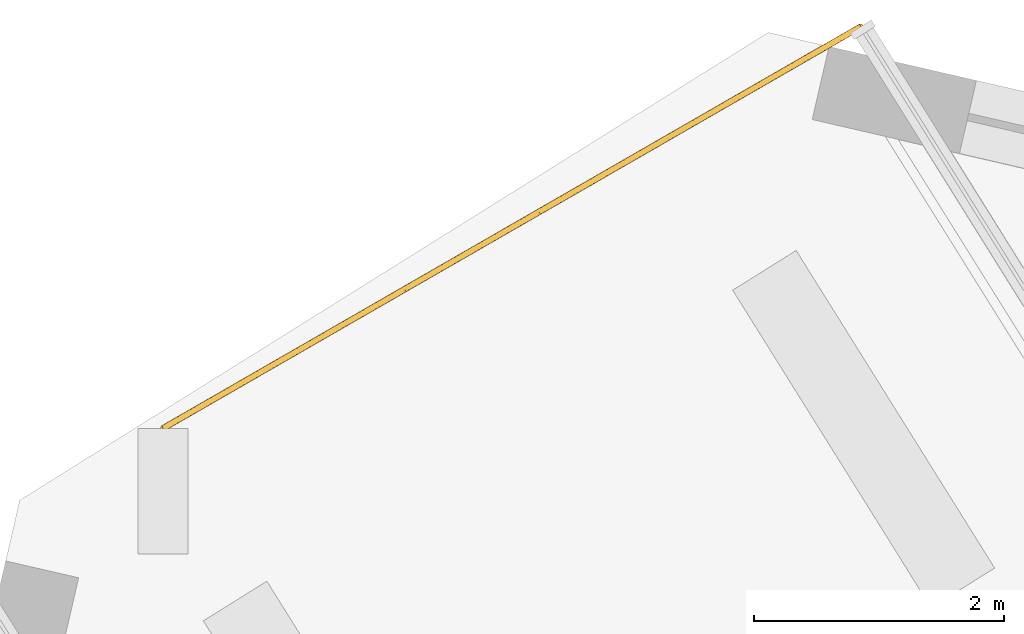
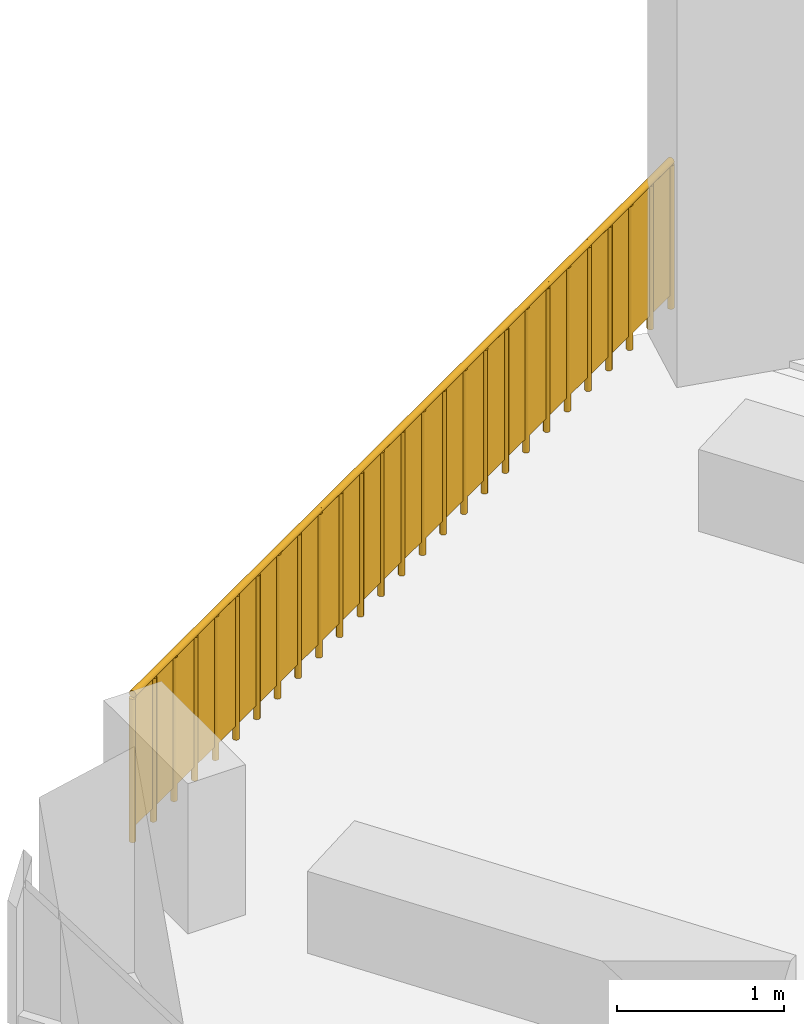
# One storey, part 13 of 14: 1 railing.
"""IFC4 building model written with IfcOpenShell, lengths in metres."""

from ifc_helpers import new_model, si_unit, direction, frame, origin, origin_2d, place, context, subcontext, project, spatial, rectangle, circle, extrude, material, type_object, element, save


model = new_model("IFC4")

# Units and contexts
model_context = context("Model", 3, precision=1e-05, world=origin(), true_north=direction((0.0, 1.0)))
body_context = subcontext(model_context, "Body", "Model", "MODEL_VIEW")
ifc_project = project(units=[si_unit("LENGTHUNIT", "METRE"), si_unit("AREAUNIT", "SQUARE_METRE"), si_unit("VOLUMEUNIT", "CUBIC_METRE"), si_unit("PLANEANGLEUNIT", "RADIAN"), si_unit("MASSUNIT", "GRAM", prefix="KILO")], contexts=[model_context])

# Site, building, storey
site_placement = place(None, origin())
site = spatial("IfcSite", under=ifc_project, at=site_placement, CompositionType="ELEMENT")
building_placement = place(site_placement, origin())
building = spatial("IfcBuilding", under=site, at=building_placement, Name="Dilmun Exchange Tower", CompositionType="ELEMENT")
storey_placement = place(building_placement, frame((0.0, 0.0, 340.5)))
storey = spatial("IfcBuildingStorey", under=building, at=storey_placement, Name="L81", CompositionType="ELEMENT", Elevation=340.5)

# Railing
ifc_material = material(Name="Stainless steel", Category="steel")
railing_type = type_object("IfcRailingType", Name="Terrace guard 1100 stainless steel", PredefinedType="GUARDRAIL", material=ifc_material)
railing_placement = place(storey_placement, frame((-13.946044921875, 34.2265625, 0.0)))
element("IfcRailing", 1, at=railing_placement, inside=storey, type_object=railing_type, Name="Terrace guard 1", PredefinedType="GUARDRAIL", context=body_context, shape_type="SweptSolid", body=[
    extrude(circle(Radius=0.02392578125, at=origin_2d()), frame((0.0, 0.0, 1.076171875), z_axis=(-0.866480498288, -0.499210923445, 0.0), x_axis=(0.499210923445, -0.866480498288, 0.0)), (0.0, 0.0, 1.0), 0.248046875),
    extrude(rectangle(XDim=0.011962890625, YDim=0.951904296875, at=origin_2d()), frame((0.0, 0.0, 0.576171875), z_axis=(-0.866480498288, -0.499210923445, 0.0), x_axis=(0.499210923445, -0.866480498288, 0.0)), (0.0, 0.0, 1.0), 0.248046875),
    extrude(circle(Radius=0.02392578125, at=origin_2d()), frame((-0.21484375, -0.123779296875, 1.076171875), z_axis=(-0.866725567477, -0.498785315222, 0.0), x_axis=(0.498785315222, -0.866725567477, 0.0)), (0.0, 0.0, 1.0), 0.248046875),
    extrude(rectangle(XDim=0.011962890625, YDim=0.951904296875, at=origin_2d()), frame((-0.21484375, -0.123779296875, 0.576171875), z_axis=(-0.866725567477, -0.498785315222, 0.0), x_axis=(0.498785315222, -0.866725567477, 0.0)), (0.0, 0.0, 1.0), 0.248046875),
    extrude(circle(Radius=0.02392578125, at=origin_2d()), frame((-0.429931640625, -0.24755859375, 1.076171875), z_axis=(-0.866480498288, -0.499210923445, 0.0), x_axis=(0.499210923445, -0.866480498288, 0.0)), (0.0, 0.0, 1.0), 0.248046875),
    extrude(rectangle(XDim=0.011962890625, YDim=0.951904296875, at=origin_2d()), frame((-0.429931640625, -0.24755859375, 0.576171875), z_axis=(-0.866480498288, -0.499210923445, 0.0), x_axis=(0.499210923445, -0.866480498288, 0.0)), (0.0, 0.0, 1.0), 0.248046875),
    extrude(circle(Radius=0.02392578125, at=origin_2d()), frame((-0.644775390625, -0.371337890625, 1.076171875), z_axis=(-0.866725567477, -0.498785315222, 0.0), x_axis=(0.498785315222, -0.866725567477, 0.0)), (0.0, 0.0, 1.0), 0.248046875),
    extrude(rectangle(XDim=0.011962890625, YDim=0.951904296875, at=origin_2d()), frame((-0.644775390625, -0.371337890625, 0.576171875), z_axis=(-0.866725567477, -0.498785315222, 0.0), x_axis=(0.498785315222, -0.866725567477, 0.0)), (0.0, 0.0, 1.0), 0.248046875),
    extrude(circle(Radius=0.02392578125, at=origin_2d()), frame((-0.85986328125, -0.4951171875, 1.076171875), z_axis=(-0.866906303058, -0.498471124258, 0.0), x_axis=(0.498471124258, -0.866906303058, 0.0)), (0.0, 0.0, 1.0), 0.247802734375),
    extrude(rectangle(XDim=0.011962890625, YDim=0.951904296875, at=origin_2d()), frame((-0.85986328125, -0.4951171875, 0.576171875), z_axis=(-0.866906303058, -0.498471124258, 0.0), x_axis=(0.498471124258, -0.866906303058, 0.0)), (0.0, 0.0, 1.0), 0.247802734375),
    extrude(circle(Radius=0.02392578125, at=origin_2d()), frame((-1.07470703125, -0.61865234375, 1.076171875), z_axis=(-0.866054481515, -0.499949632511, 0.0), x_axis=(0.499949632511, -0.866054481515, 0.0)), (0.0, 0.0, 1.0), 0.248046875),
    extrude(rectangle(XDim=0.011962890625, YDim=0.951904296875, at=origin_2d()), frame((-1.07470703125, -0.61865234375, 0.576171875), z_axis=(-0.866054481515, -0.499949632511, 0.0), x_axis=(0.499949632511, -0.866054481515, 0.0)), (0.0, 0.0, 1.0), 0.248046875),
    extrude(circle(Radius=0.02392578125, at=origin_2d()), frame((-1.28955078125, -0.74267578125, 1.076171875), z_axis=(-0.867150766199, -0.498045729508, 0.0), x_axis=(0.498045729508, -0.867150766199, 0.0)), (0.0, 0.0, 1.0), 0.248046875),
    extrude(rectangle(XDim=0.011962890625, YDim=0.951904296875, at=origin_2d()), frame((-1.28955078125, -0.74267578125, 0.576171875), z_axis=(-0.867150766199, -0.498045729508, 0.0), x_axis=(0.498045729508, -0.867150766199, 0.0)), (0.0, 0.0, 1.0), 0.248046875),
    extrude(circle(Radius=0.02392578125, at=origin_2d()), frame((-1.504638671875, -0.8662109375, 1.076171875), z_axis=(-0.866480498288, -0.499210923445, 0.0), x_axis=(0.499210923445, -0.866480498288, 0.0)), (0.0, 0.0, 1.0), 0.248046875),
    extrude(rectangle(XDim=0.011962890625, YDim=0.951904296875, at=origin_2d()), frame((-1.504638671875, -0.8662109375, 0.576171875), z_axis=(-0.866480498288, -0.499210923445, 0.0), x_axis=(0.499210923445, -0.866480498288, 0.0)), (0.0, 0.0, 1.0), 0.248046875),
    extrude(circle(Radius=0.02392578125, at=origin_2d()), frame((-1.719482421875, -0.989990234375, 1.076171875), z_axis=(-0.866725567477, -0.498785315222, 0.0), x_axis=(0.498785315222, -0.866725567477, 0.0)), (0.0, 0.0, 1.0), 0.248046875),
    extrude(rectangle(XDim=0.011962890625, YDim=0.951904296875, at=origin_2d()), frame((-1.719482421875, -0.989990234375, 0.576171875), z_axis=(-0.866725567477, -0.498785315222, 0.0), x_axis=(0.498785315222, -0.866725567477, 0.0)), (0.0, 0.0, 1.0), 0.248046875),
    extrude(circle(Radius=0.02392578125, at=origin_2d()), frame((-1.9345703125, -1.11376953125, 1.076171875), z_axis=(-0.866480498288, -0.499210923445, 0.0), x_axis=(0.499210923445, -0.866480498288, 0.0)), (0.0, 0.0, 1.0), 0.248046875),
    extrude(rectangle(XDim=0.011962890625, YDim=0.951904296875, at=origin_2d()), frame((-1.9345703125, -1.11376953125, 0.576171875), z_axis=(-0.866480498288, -0.499210923445, 0.0), x_axis=(0.499210923445, -0.866480498288, 0.0)), (0.0, 0.0, 1.0), 0.248046875),
    extrude(circle(Radius=0.02392578125, at=origin_2d()), frame((-2.1494140625, -1.237548828125, 1.076171875), z_axis=(-0.866480498288, -0.499210923445, 0.0), x_axis=(0.499210923445, -0.866480498288, 0.0)), (0.0, 0.0, 1.0), 0.248046875),
    extrude(rectangle(XDim=0.011962890625, YDim=0.951904296875, at=origin_2d()), frame((-2.1494140625, -1.237548828125, 0.576171875), z_axis=(-0.866480498288, -0.499210923445, 0.0), x_axis=(0.499210923445, -0.866480498288, 0.0)), (0.0, 0.0, 1.0), 0.248046875),
    extrude(circle(Radius=0.02392578125, at=origin_2d()), frame((-2.3642578125, -1.361328125, 1.076171875), z_axis=(-0.866725567477, -0.498785315222, 0.0), x_axis=(0.498785315222, -0.866725567477, 0.0)), (0.0, 0.0, 1.0), 0.248046875),
    extrude(rectangle(XDim=0.011962890625, YDim=0.951904296875, at=origin_2d()), frame((-2.3642578125, -1.361328125, 0.576171875), z_axis=(-0.866725567477, -0.498785315222, 0.0), x_axis=(0.498785315222, -0.866725567477, 0.0)), (0.0, 0.0, 1.0), 0.248046875),
    extrude(circle(Radius=0.02392578125, at=origin_2d()), frame((-2.579345703125, -1.485107421875, 1.076171875), z_axis=(-0.866906303058, -0.498471124258, 0.0), x_axis=(0.498471124258, -0.866906303058, 0.0)), (0.0, 0.0, 1.0), 0.247802734375),
    extrude(rectangle(XDim=0.011962890625, YDim=0.951904296875, at=origin_2d()), frame((-2.579345703125, -1.485107421875, 0.576171875), z_axis=(-0.866906303058, -0.498471124258, 0.0), x_axis=(0.498471124258, -0.866906303058, 0.0)), (0.0, 0.0, 1.0), 0.247802734375),
    extrude(circle(Radius=0.02392578125, at=origin_2d()), frame((-2.794189453125, -1.608642578125, 1.076171875), z_axis=(-0.866054481515, -0.499949632511, 0.0), x_axis=(0.499949632511, -0.866054481515, 0.0)), (0.0, 0.0, 1.0), 0.248046875),
    extrude(rectangle(XDim=0.011962890625, YDim=0.951904296875, at=origin_2d()), frame((-2.794189453125, -1.608642578125, 0.576171875), z_axis=(-0.866054481515, -0.499949632511, 0.0), x_axis=(0.499949632511, -0.866054481515, 0.0)), (0.0, 0.0, 1.0), 0.248046875),
    extrude(circle(Radius=0.02392578125, at=origin_2d()), frame((-3.009033203125, -1.732666015625, 1.076171875), z_axis=(-0.867150766199, -0.498045729508, 0.0), x_axis=(0.498045729508, -0.867150766199, 0.0)), (0.0, 0.0, 1.0), 0.248046875),
    extrude(rectangle(XDim=0.011962890625, YDim=0.951904296875, at=origin_2d()), frame((-3.009033203125, -1.732666015625, 0.576171875), z_axis=(-0.867150766199, -0.498045729508, 0.0), x_axis=(0.498045729508, -0.867150766199, 0.0)), (0.0, 0.0, 1.0), 0.248046875),
    extrude(circle(Radius=0.02392578125, at=origin_2d()), frame((-3.22412109375, -1.856201171875, 1.076171875), z_axis=(-0.866480498288, -0.499210923445, 0.0), x_axis=(0.499210923445, -0.866480498288, 0.0)), (0.0, 0.0, 1.0), 0.248046875),
    extrude(rectangle(XDim=0.011962890625, YDim=0.951904296875, at=origin_2d()), frame((-3.22412109375, -1.856201171875, 0.576171875), z_axis=(-0.866480498288, -0.499210923445, 0.0), x_axis=(0.499210923445, -0.866480498288, 0.0)), (0.0, 0.0, 1.0), 0.248046875),
    extrude(circle(Radius=0.02392578125, at=origin_2d()), frame((-3.43896484375, -1.97998046875, 1.076171875), z_axis=(-0.866725567477, -0.498785315222, 0.0), x_axis=(0.498785315222, -0.866725567477, 0.0)), (0.0, 0.0, 1.0), 0.248046875),
    extrude(rectangle(XDim=0.011962890625, YDim=0.951904296875, at=origin_2d()), frame((-3.43896484375, -1.97998046875, 0.576171875), z_axis=(-0.866725567477, -0.498785315222, 0.0), x_axis=(0.498785315222, -0.866725567477, 0.0)), (0.0, 0.0, 1.0), 0.248046875),
    extrude(circle(Radius=0.02392578125, at=origin_2d()), frame((-3.654052734375, -2.103759765625, 1.076171875), z_axis=(-0.866480498288, -0.499210923445, 0.0), x_axis=(0.499210923445, -0.866480498288, 0.0)), (0.0, 0.0, 1.0), 0.248046875),
    extrude(rectangle(XDim=0.011962890625, YDim=0.951904296875, at=origin_2d()), frame((-3.654052734375, -2.103759765625, 0.576171875), z_axis=(-0.866480498288, -0.499210923445, 0.0), x_axis=(0.499210923445, -0.866480498288, 0.0)), (0.0, 0.0, 1.0), 0.248046875),
    extrude(circle(Radius=0.02392578125, at=origin_2d()), frame((-3.868896484375, -2.2275390625, 1.076171875), z_axis=(-0.866480498288, -0.499210923445, 0.0), x_axis=(0.499210923445, -0.866480498288, 0.0)), (0.0, 0.0, 1.0), 0.248046875),
    extrude(rectangle(XDim=0.011962890625, YDim=0.951904296875, at=origin_2d()), frame((-3.868896484375, -2.2275390625, 0.576171875), z_axis=(-0.866480498288, -0.499210923445, 0.0), x_axis=(0.499210923445, -0.866480498288, 0.0)), (0.0, 0.0, 1.0), 0.248046875),
    extrude(circle(Radius=0.02392578125, at=origin_2d()), frame((-4.083740234375, -2.351318359375, 1.076171875), z_axis=(-0.867150766199, -0.498045729508, 0.0), x_axis=(0.498045729508, -0.867150766199, 0.0)), (0.0, 0.0, 1.0), 0.248046875),
    extrude(rectangle(XDim=0.011962890625, YDim=0.951904296875, at=origin_2d()), frame((-4.083740234375, -2.351318359375, 0.576171875), z_axis=(-0.867150766199, -0.498045729508, 0.0), x_axis=(0.498045729508, -0.867150766199, 0.0)), (0.0, 0.0, 1.0), 0.248046875),
    extrude(circle(Radius=0.02392578125, at=origin_2d()), frame((-4.298828125, -2.474853515625, 1.076171875), z_axis=(-0.866054481515, -0.499949632511, 0.0), x_axis=(0.499949632511, -0.866054481515, 0.0)), (0.0, 0.0, 1.0), 0.248046875),
    extrude(rectangle(XDim=0.011962890625, YDim=0.951904296875, at=origin_2d()), frame((-4.298828125, -2.474853515625, 0.576171875), z_axis=(-0.866054481515, -0.499949632511, 0.0), x_axis=(0.499949632511, -0.866054481515, 0.0)), (0.0, 0.0, 1.0), 0.248046875),
    extrude(circle(Radius=0.02392578125, at=origin_2d()), frame((-4.513671875, -2.598876953125, 1.076171875), z_axis=(-0.867150766199, -0.498045729508, 0.0), x_axis=(0.498045729508, -0.867150766199, 0.0)), (0.0, 0.0, 1.0), 0.248046875),
    extrude(rectangle(XDim=0.011962890625, YDim=0.951904296875, at=origin_2d()), frame((-4.513671875, -2.598876953125, 0.576171875), z_axis=(-0.867150766199, -0.498045729508, 0.0), x_axis=(0.498045729508, -0.867150766199, 0.0)), (0.0, 0.0, 1.0), 0.248046875),
    extrude(circle(Radius=0.02392578125, at=origin_2d()), frame((-4.728759765625, -2.722412109375, 1.076171875), z_axis=(-0.866480498288, -0.499210923445, 0.0), x_axis=(0.499210923445, -0.866480498288, 0.0)), (0.0, 0.0, 1.0), 0.248046875),
    extrude(rectangle(XDim=0.011962890625, YDim=0.951904296875, at=origin_2d()), frame((-4.728759765625, -2.722412109375, 0.576171875), z_axis=(-0.866480498288, -0.499210923445, 0.0), x_axis=(0.499210923445, -0.866480498288, 0.0)), (0.0, 0.0, 1.0), 0.248046875),
    extrude(circle(Radius=0.02392578125, at=origin_2d()), frame((-4.943603515625, -2.84619140625, 1.076171875), z_axis=(-0.866480498288, -0.499210923445, 0.0), x_axis=(0.499210923445, -0.866480498288, 0.0)), (0.0, 0.0, 1.0), 0.248046875),
    extrude(rectangle(XDim=0.011962890625, YDim=0.951904296875, at=origin_2d()), frame((-4.943603515625, -2.84619140625, 0.576171875), z_axis=(-0.866480498288, -0.499210923445, 0.0), x_axis=(0.499210923445, -0.866480498288, 0.0)), (0.0, 0.0, 1.0), 0.248046875),
    extrude(circle(Radius=0.02392578125, at=origin_2d()), frame((-5.158447265625, -2.969970703125, 1.076171875), z_axis=(-0.866725567477, -0.498785315222, 0.0), x_axis=(0.498785315222, -0.866725567477, 0.0)), (0.0, 0.0, 1.0), 0.248046875),
    extrude(rectangle(XDim=0.011962890625, YDim=0.951904296875, at=origin_2d()), frame((-5.158447265625, -2.969970703125, 0.576171875), z_axis=(-0.866725567477, -0.498785315222, 0.0), x_axis=(0.498785315222, -0.866725567477, 0.0)), (0.0, 0.0, 1.0), 0.248046875),
    extrude(circle(Radius=0.02392578125, at=origin_2d()), frame((-5.37353515625, -3.09375, 1.076171875), z_axis=(-0.866480498288, -0.499210923445, 0.0), x_axis=(0.499210923445, -0.866480498288, 0.0)), (0.0, 0.0, 1.0), 0.248046875),
    extrude(rectangle(XDim=0.011962890625, YDim=0.951904296875, at=origin_2d()), frame((-5.37353515625, -3.09375, 0.576171875), z_axis=(-0.866480498288, -0.499210923445, 0.0), x_axis=(0.499210923445, -0.866480498288, 0.0)), (0.0, 0.0, 1.0), 0.248046875),
    extrude(circle(Radius=0.02099609375, at=origin_2d()), origin(), (0.0, 0.0, 1.0), 1.052001953125),
    extrude(circle(Radius=0.02099609375, at=origin_2d()), frame((-0.21484375, -0.123779296875, 0.0)), (0.0, 0.0, 1.0), 1.052001953125),
    extrude(circle(Radius=0.02099609375, at=origin_2d()), frame((-0.429931640625, -0.24755859375, 0.0)), (0.0, 0.0, 1.0), 1.052001953125),
    extrude(circle(Radius=0.02099609375, at=origin_2d()), frame((-0.644775390625, -0.371337890625, 0.0)), (0.0, 0.0, 1.0), 1.052001953125),
    extrude(circle(Radius=0.02099609375, at=origin_2d()), frame((-0.85986328125, -0.4951171875, 0.0)), (0.0, 0.0, 1.0), 1.052001953125),
    extrude(circle(Radius=0.02099609375, at=origin_2d()), frame((-1.07470703125, -0.61865234375, 0.0)), (0.0, 0.0, 1.0), 1.052001953125),
    extrude(circle(Radius=0.02099609375, at=origin_2d()), frame((-1.28955078125, -0.74267578125, 0.0)), (0.0, 0.0, 1.0), 1.052001953125),
    extrude(circle(Radius=0.02099609375, at=origin_2d()), frame((-1.504638671875, -0.8662109375, 0.0)), (0.0, 0.0, 1.0), 1.052001953125),
    extrude(circle(Radius=0.02099609375, at=origin_2d()), frame((-1.719482421875, -0.989990234375, 0.0)), (0.0, 0.0, 1.0), 1.052001953125),
    extrude(circle(Radius=0.02099609375, at=origin_2d()), frame((-1.9345703125, -1.11376953125, 0.0)), (0.0, 0.0, 1.0), 1.052001953125),
    extrude(circle(Radius=0.02099609375, at=origin_2d()), frame((-2.1494140625, -1.237548828125, 0.0)), (0.0, 0.0, 1.0), 1.052001953125),
    extrude(circle(Radius=0.02099609375, at=origin_2d()), frame((-2.3642578125, -1.361328125, 0.0)), (0.0, 0.0, 1.0), 1.052001953125),
    extrude(circle(Radius=0.02099609375, at=origin_2d()), frame((-2.579345703125, -1.485107421875, 0.0)), (0.0, 0.0, 1.0), 1.052001953125),
    extrude(circle(Radius=0.02099609375, at=origin_2d()), frame((-2.794189453125, -1.608642578125, 0.0)), (0.0, 0.0, 1.0), 1.052001953125),
    extrude(circle(Radius=0.02099609375, at=origin_2d()), frame((-3.009033203125, -1.732666015625, 0.0)), (0.0, 0.0, 1.0), 1.052001953125),
    extrude(circle(Radius=0.02099609375, at=origin_2d()), frame((-3.22412109375, -1.856201171875, 0.0)), (0.0, 0.0, 1.0), 1.052001953125),
    extrude(circle(Radius=0.02099609375, at=origin_2d()), frame((-3.43896484375, -1.97998046875, 0.0)), (0.0, 0.0, 1.0), 1.052001953125),
    extrude(circle(Radius=0.02099609375, at=origin_2d()), frame((-3.654052734375, -2.103759765625, 0.0)), (0.0, 0.0, 1.0), 1.052001953125),
    extrude(circle(Radius=0.02099609375, at=origin_2d()), frame((-3.868896484375, -2.2275390625, 0.0)), (0.0, 0.0, 1.0), 1.052001953125),
    extrude(circle(Radius=0.02099609375, at=origin_2d()), frame((-4.083740234375, -2.351318359375, 0.0)), (0.0, 0.0, 1.0), 1.052001953125),
    extrude(circle(Radius=0.02099609375, at=origin_2d()), frame((-4.298828125, -2.474853515625, 0.0)), (0.0, 0.0, 1.0), 1.052001953125),
    extrude(circle(Radius=0.02099609375, at=origin_2d()), frame((-4.513671875, -2.598876953125, 0.0)), (0.0, 0.0, 1.0), 1.052001953125),
    extrude(circle(Radius=0.02099609375, at=origin_2d()), frame((-4.728759765625, -2.722412109375, 0.0)), (0.0, 0.0, 1.0), 1.052001953125),
    extrude(circle(Radius=0.02099609375, at=origin_2d()), frame((-4.943603515625, -2.84619140625, 0.0)), (0.0, 0.0, 1.0), 1.052001953125),
    extrude(circle(Radius=0.02099609375, at=origin_2d()), frame((-5.158447265625, -2.969970703125, 0.0)), (0.0, 0.0, 1.0), 1.052001953125),
    extrude(circle(Radius=0.02099609375, at=origin_2d()), frame((-5.37353515625, -3.09375, 0.0)), (0.0, 0.0, 1.0), 1.052001953125),
    extrude(circle(Radius=0.02099609375, at=origin_2d()), frame((-5.58837890625, -3.217529296875, 0.0)), (0.0, 0.0, 1.0), 1.052001953125),
])

save(model, "model.ifc")
